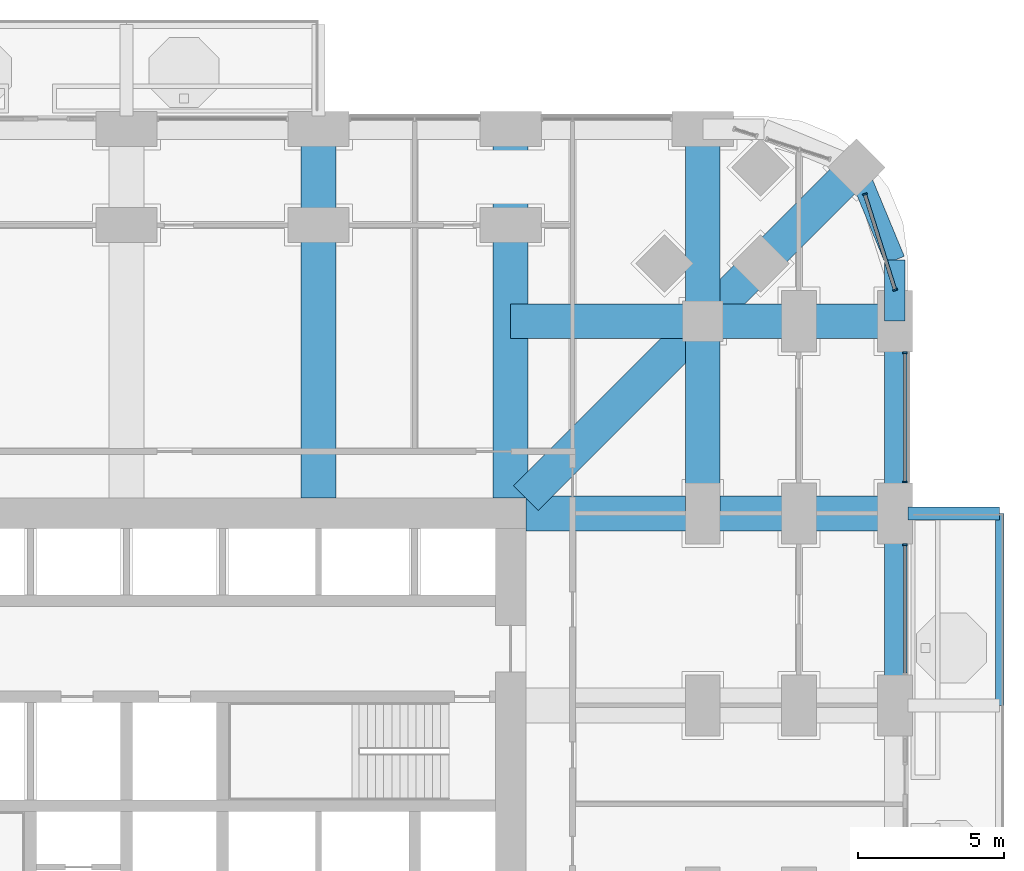
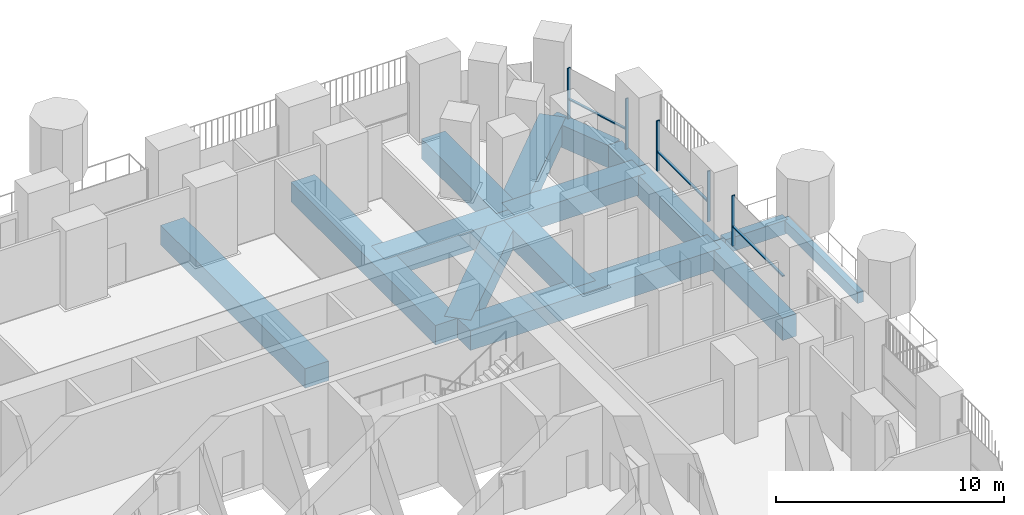
# One storey, part 8 of 26: 15 beams, 8 members, 3 elements without a shape of their own.
"""IFC4 building model written with IfcOpenShell, lengths in metres."""

from ifc_helpers import new_model, si_unit, direction, frame, origin, origin_2d, place, context, subcontext, project, spatial, rectangle, extrude, material, material_profile, profile_set, type_object, element, aggregate, save


model = new_model("IFC4")

# Units and contexts
model_context = context("Model", 3, precision=1e-05, world=origin(), true_north=direction((0.0, 1.0)))
body_context = subcontext(model_context, "Body", "Model", "MODEL_VIEW")
ifc_project = project(units=[si_unit("LENGTHUNIT", "METRE"), si_unit("AREAUNIT", "SQUARE_METRE"), si_unit("VOLUMEUNIT", "CUBIC_METRE"), si_unit("PLANEANGLEUNIT", "RADIAN"), si_unit("MASSUNIT", "GRAM", prefix="KILO")], contexts=[model_context])

# Site, building, storey
site_placement = place(None, origin())
site = spatial("IfcSite", under=ifc_project, at=site_placement, CompositionType="ELEMENT")
building_placement = place(site_placement, origin())
building = spatial("IfcBuilding", under=site, at=building_placement, Name="Cobogo Forest Laboratory Tower", CompositionType="ELEMENT")
storey_placement = place(building_placement, frame((0.0, 0.0, 42.300048828125)))
storey = spatial("IfcBuildingStorey", under=building, at=storey_placement, Name="L09", CompositionType="ELEMENT", Elevation=42.300048828125)

# Beams
ifc_material_1 = material(Name="Concrete HA-40 (C40/50)", Category="concrete")
ifc_material_profile_1 = material_profile(ifc_material_1, rectangle(XDim=0.449951171875, YDim=0.75, at=origin_2d()), Name="RC 450x750")
ifc_profile_set_1 = profile_set([ifc_material_profile_1], Name="Concrete HA-40 (C40/50)")
beam_type_1 = type_object("IfcBeamType", Name="Balcony cantilever beam 450x750", PredefinedType="BEAM", material=ifc_profile_set_1)
beam_1_placement = place(storey_placement, frame((53.25, 33.0, -0.625), z_axis=(1.0, 0.0, 0.0), x_axis=(0.0, 1.0, 0.0)))
element("IfcBeam", 1, at=beam_1_placement, inside=storey, type_object=beam_type_1, Name="CB1 BAL-E1-C3 L09", PredefinedType="BEAM", context=body_context, shape_type="SweptSolid", body=[
    extrude(rectangle(XDim=0.449951171875, YDim=0.75, at=origin_2d()), origin(), (0.0, 0.0, 1.0), 3.14990234375),
])
ifc_material_profile_2 = material_profile(ifc_material_1, rectangle(XDim=0.300048828125, YDim=0.60009765625, at=origin_2d()), Name="RC 300x600")
ifc_profile_set_2 = profile_set([ifc_material_profile_2], Name="Concrete HA-40 (C40/50)")
beam_type_2 = type_object("IfcBeamType", Name="Balcony edge beam 300x600", PredefinedType="BEAM", material=ifc_profile_set_2)
beam_2_placement = place(storey_placement, frame((56.39990234375, 26.39990234375, -0.550048828125), z_axis=(0.0, 1.0, 0.0), x_axis=(-1.0, 0.0, 0.0)))
element("IfcBeam", 2, at=beam_2_placement, inside=storey, type_object=beam_type_2, Name="BB1 BAL-E1-T2 L09", PredefinedType="BEAM", context=body_context, shape_type="SweptSolid", body=[
    extrude(rectangle(XDim=0.300048828125, YDim=0.60009765625, at=origin_2d()), origin(), (0.0, 0.0, 1.0), 6.60009765625),
])
ifc_material_profile_3 = material_profile(ifc_material_1, rectangle(XDim=1.199951171875, YDim=1.050048828125, at=origin_2d()), Name="RC 1200x1050")
ifc_profile_set_3 = profile_set([ifc_material_profile_3], Name="Concrete HA-40 (C40/50)")
beam_type_3 = type_object("IfcBeamType", Name="Laboratory floor wide beam 1200x1050", PredefinedType="BEAM", material=ifc_profile_set_3)
for number, where, z_axis, x_axis, name in (
    (3, (33.0, 33.52490234375, -0.824951171875), (0.0, 1.0, 0.0), (-1.0, 0.0, 0.0), "RB1 R-6-N L09"),
    (4, (39.60009765625, 33.52490234375, -0.824951171875), (0.0, 1.0, 0.0), (-1.0, 0.0, 0.0), "RB1 R-7-N L09"),
    (5, (40.125, 33.0, -0.824951171875), (1.0, 0.0, 0.0), (0.0, 1.0, 0.0), "RB1 R-F-E L09"),
):
    element("IfcBeam", number, at=place(storey_placement, frame(where, z_axis=z_axis, x_axis=x_axis)), inside=storey, type_object=beam_type_3, Name=name, PredefinedType="BEAM", context=body_context, shape_type="SweptSolid", body=[
        extrude(rectangle(XDim=1.199951171875, YDim=1.050048828125, at=origin_2d()), origin(), (0.0, 0.0, 1.0), 12.675048828125),
    ])
beam_3_placement = place(storey_placement, frame((46.199951171875, 46.199951171875, -0.824951171875), z_axis=(0.0, -1.0, 0.0), x_axis=(1.0, 0.0, 0.0)))
element("IfcBeam", 6, at=beam_3_placement, inside=storey, type_object=beam_type_3, Name="RB1 G-NE-XF L09", PredefinedType="BEAM", context=body_context, shape_type="SweptSolid", body=[
    extrude(rectangle(XDim=1.199951171875, YDim=1.050048828125, at=origin_2d()), origin(), (0.0, 0.0, 1.0), 6.599853515625),
])
for number, where, z_axis, x_axis, name in (
    (7, (46.199951171875, 39.60009765625, -0.824951171875), (0.0, -1.0, 0.0), (1.0, 0.0, 0.0), "RB1 G-NE-XC L09"),
    (8, (52.800048828125, 39.60009765625, -0.824951171875), (-1.0, 0.0, 0.0), (0.0, -1.0, 0.0), "RB1 G-NE-YF L09"),
):
    element("IfcBeam", number, at=place(storey_placement, frame(where, z_axis=z_axis, x_axis=x_axis)), inside=storey, type_object=beam_type_3, Name=name, PredefinedType="BEAM", context=body_context, shape_type="SweptSolid", body=[
        extrude(rectangle(XDim=1.199951171875, YDim=1.050048828125, at=origin_2d()), origin(), (0.0, 0.0, 1.0), 6.60009765625),
    ])
beam_4_placement = place(storey_placement, frame((46.199951171875, 39.60009765625, -0.824951171875), z_axis=(-1.0, 0.0, 0.0), x_axis=(0.0, -1.0, 0.0)))
element("IfcBeam", 9, at=beam_4_placement, inside=storey, type_object=beam_type_3, Name="RB1 G-NE-YC L09", PredefinedType="BEAM", context=body_context, shape_type="SweptSolid", body=[
    extrude(rectangle(XDim=1.199951171875, YDim=1.050048828125, at=origin_2d()), origin(), (0.0, 0.0, 1.0), 6.599853515625),
])
beam_5_placement = place(storey_placement, frame((51.48193359375, 44.882080078125, -0.824951171875), z_axis=(-0.707106781187, -0.707106781187, 0.0), x_axis=(0.707106781187, -0.707106781187, 0.0)))
element("IfcBeam", 10, at=beam_5_placement, inside=storey, type_object=beam_type_3, Name="RB1 G-NE-D1 L09", PredefinedType="BEAM", context=body_context, shape_type="SweptSolid", body=[
    extrude(rectangle(XDim=1.199951171875, YDim=1.050048828125, at=origin_2d()), origin(), (0.0, 0.0, 1.0), 7.469970703125),
])
beam_6_placement = place(storey_placement, frame((46.199951171875, 39.60009765625, -0.824951171875), z_axis=(-0.707092572697, -0.70712098939, 0.0), x_axis=(0.70712098939, -0.707092572697, 0.0)))
element("IfcBeam", 11, at=beam_6_placement, inside=storey, type_object=beam_type_3, Name="RB1 G-NE-D2 L09", PredefinedType="BEAM", context=body_context, shape_type="SweptSolid", body=[
    extrude(rectangle(XDim=1.199951171875, YDim=1.050048828125, at=origin_2d()), origin(), (0.0, 0.0, 1.0), 8.591552734375),
])

# Curtain wall, member
ifc_material_2 = material(Name="Aluminium curtain wall", Category="aluminium")
curtain_wall_type = type_object("IfcCurtainWallType", Name="CW-1 unitised curtain wall, clear glazing, laboratory floors zones A and B", PredefinedType="USERDEFINED", material=ifc_material_2)
curtain_wall_1_placement = place(storey_placement, origin())
curtain_wall_1 = element("IfcCurtainWall", 12, at=curtain_wall_1_placement, inside=storey, type_object=curtain_wall_type, Name="Curtain wall 13 L09", ObjectType="UNITISED CURTAIN WALL", PredefinedType="USERDEFINED")
ifc_material_3 = material(Name="Aluminium mullion", Category="aluminium")
ifc_material_profile_4 = material_profile(ifc_material_3, rectangle(XDim=0.06005859375, YDim=0.159912109375, at=origin_2d()), Name="AL 60x160")
ifc_profile_set_4 = profile_set([ifc_material_profile_4], Name="Aluminium mullion")
member_type_1 = type_object("IfcMemberType", Name="MU-1 aluminium mullion 60x160", PredefinedType="MULLION", material=ifc_profile_set_4)
member_1_placement = place(storey_placement, frame((53.14990234375, 31.919921875, 0.0), z_axis=(0.0, 0.0, 1.0), x_axis=(0.0, 1.0, 0.0)))
member_1 = element("IfcMember", 13, at=member_1_placement, type_object=member_type_1, Name="CW-1 mullion 2", PredefinedType="MULLION", context=body_context, shape_type="SweptSolid", body=[
    extrude(rectangle(XDim=0.06005859375, YDim=0.159912109375, at=origin_2d()), origin(), (0.0, 0.0, 1.0), 2.699951171875),
])

# Curtain wall, members
curtain_wall_2_placement = place(storey_placement, origin())
curtain_wall_2 = element("IfcCurtainWall", 14, at=curtain_wall_2_placement, inside=storey, type_object=curtain_wall_type, Name="Curtain wall 14 L09", ObjectType="UNITISED CURTAIN WALL", PredefinedType="USERDEFINED")
member_2_placement = place(storey_placement, frame((53.14990234375, 34.080078125, 0.0), z_axis=(0.0, 0.0, 1.0), x_axis=(0.0, 1.0, 0.0)))
member_2 = element("IfcMember", 15, at=member_2_placement, type_object=member_type_1, Name="CW-1 mullion 1", PredefinedType="MULLION", context=body_context, shape_type="SweptSolid", body=[
    extrude(rectangle(XDim=0.06005859375, YDim=0.159912109375, at=origin_2d()), origin(), (0.0, 0.0, 1.0), 2.699951171875),
])
member_3_placement = place(storey_placement, frame((53.14990234375, 38.52001953125, 0.0), z_axis=(0.0, 0.0, 1.0), x_axis=(0.0, 1.0, 0.0)))
member_3 = element("IfcMember", 16, at=member_3_placement, type_object=member_type_1, Name="CW-1 mullion 2", PredefinedType="MULLION", context=body_context, shape_type="SweptSolid", body=[
    extrude(rectangle(XDim=0.06005859375, YDim=0.159912109375, at=origin_2d()), origin(), (0.0, 0.0, 1.0), 2.699951171875),
])

curtain_wall_3_placement = place(storey_placement, origin())
curtain_wall_3 = element("IfcCurtainWall", 17, at=curtain_wall_3_placement, inside=storey, type_object=curtain_wall_type, Name="Curtain wall 15 L09", ObjectType="UNITISED CURTAIN WALL", PredefinedType="USERDEFINED")
member_4_placement = place(storey_placement, frame((52.809326171875, 40.6787109375, 0.0), z_axis=(0.0, 0.0, 1.0), x_axis=(-0.30113535792, 0.95358140513, 0.0)))
member_4 = element("IfcMember", 18, at=member_4_placement, type_object=member_type_1, Name="CW-1 mullion 1", PredefinedType="MULLION", context=body_context, shape_type="SweptSolid", body=[
    extrude(rectangle(XDim=0.06005859375, YDim=0.159912109375, at=origin_2d()), origin(), (0.0, 0.0, 1.0), 2.699951171875),
])
member_5_placement = place(storey_placement, frame((51.772705078125, 43.961181640625, 0.0), z_axis=(0.0, 0.0, 1.0), x_axis=(-0.30113535792, 0.95358140513, 0.0)))
member_5 = element("IfcMember", 19, at=member_5_placement, type_object=member_type_1, Name="CW-1 mullion 2", PredefinedType="MULLION", context=body_context, shape_type="SweptSolid", body=[
    extrude(rectangle(XDim=0.06005859375, YDim=0.159912109375, at=origin_2d()), origin(), (0.0, 0.0, 1.0), 2.699951171875),
])

# Beams
ifc_material_profile_5 = material_profile(ifc_material_1, rectangle(XDim=0.699951171875, YDim=1.199951171875, at=origin_2d()), Name="RC 700x1200")
ifc_profile_set_5 = profile_set([ifc_material_profile_5], Name="Concrete HA-40 (C40/50)")
beam_type_4 = type_object("IfcBeamType", Name="Perimeter edge beam 700x1200", PredefinedType="BEAM", material=ifc_profile_set_5)
for number, where, z_axis, x_axis, name in (
    (20, (52.800048828125, 26.39990234375, -0.900146484375), (0.0, 1.0, 0.0), (-1.0, 0.0, 0.0), "EB1 E-E4 L09"),
    (21, (52.800048828125, 33.0, -0.900146484375), (0.0, 1.0, 0.0), (-1.0, 0.0, 0.0), "EB1 E-E5 L09"),
):
    element("IfcBeam", number, at=place(storey_placement, frame(where, z_axis=z_axis, x_axis=x_axis)), inside=storey, type_object=beam_type_4, Name=name, PredefinedType="BEAM", context=body_context, shape_type="SweptSolid", body=[
        extrude(rectangle(XDim=0.699951171875, YDim=1.199951171875, at=origin_2d()), origin(), (0.0, 0.0, 1.0), 6.60009765625),
    ])
beam_7_placement = place(storey_placement, frame((52.800048828125, 39.60009765625, -0.900146484375), z_axis=(0.0, 1.0, 0.0), x_axis=(-1.0, 0.0, 0.0)))
element("IfcBeam", 22, at=beam_7_placement, inside=storey, type_object=beam_type_4, Name="EB1 E-NEE1 L09", PredefinedType="BEAM", context=body_context, shape_type="SweptSolid", body=[
    extrude(rectangle(XDim=0.699951171875, YDim=1.199951171875, at=origin_2d()), origin(), (0.0, 0.0, 1.0), 2.099853515625),
])
beam_8_placement = place(storey_placement, frame((52.800048828125, 41.699951171875, -0.900146484375), z_axis=(-0.382691928466, 0.923876013265, 0.0), x_axis=(-0.923876013265, -0.382691928466, 0.0)))
element("IfcBeam", 23, at=beam_8_placement, inside=storey, type_object=beam_type_4, Name="EB1 E-NEE2 L09", PredefinedType="BEAM", context=body_context, shape_type="SweptSolid", body=[
    extrude(rectangle(XDim=0.699951171875, YDim=1.199951171875, at=origin_2d()), origin(), (0.0, 0.0, 1.0), 3.4443359375),
])

# Member
ifc_material_4 = material(Name="Aluminium transom", Category="aluminium")
ifc_material_profile_6 = material_profile(ifc_material_4, rectangle(XDim=0.1201171875, YDim=0.06005859375, at=origin_2d()), Name="AL 60x120")
ifc_profile_set_6 = profile_set([ifc_material_profile_6], Name="Aluminium transom")
member_type_2 = type_object("IfcMemberType", Name="TR-1 aluminium transom 60x120", PredefinedType="USERDEFINED", material=ifc_profile_set_6)
member_6_placement = place(storey_placement, frame((53.14990234375, 27.510009765625, 1.050048828125), z_axis=(0.0, 1.0, 0.0), x_axis=(-1.0, 0.0, 0.0)))
member_6 = element("IfcMember", 24, at=member_6_placement, type_object=member_type_2, Name="CW-1 transom 1.1", ObjectType="TRANSOM", PredefinedType="USERDEFINED", context=body_context, shape_type="SweptSolid", body=[
    extrude(rectangle(XDim=0.1201171875, YDim=0.06005859375, at=origin_2d()), origin(), (0.0, 0.0, 1.0), 4.3798828125),
])

aggregate(curtain_wall_1, [member_1, member_6])

member_7_placement = place(storey_placement, frame((53.14990234375, 34.110107421875, 1.050048828125), z_axis=(0.0, 1.0, 0.0), x_axis=(-1.0, 0.0, 0.0)))
member_7 = element("IfcMember", 25, at=member_7_placement, type_object=member_type_2, Name="CW-1 transom 1.1", ObjectType="TRANSOM", PredefinedType="USERDEFINED", context=body_context, shape_type="SweptSolid", body=[
    extrude(rectangle(XDim=0.1201171875, YDim=0.06005859375, at=origin_2d()), origin(), (0.0, 0.0, 1.0), 4.3798828125),
])

aggregate(curtain_wall_2, [member_2, member_3, member_7])

member_8_placement = place(storey_placement, frame((52.80029296875, 40.707275390625, 1.050048828125), z_axis=(-0.301138276922, 0.953580483322, 0.0), x_axis=(-0.953580483322, -0.301138276922, 0.0)))
member_8 = element("IfcMember", 26, at=member_8_placement, type_object=member_type_2, Name="CW-1 transom 1.1", ObjectType="TRANSOM", PredefinedType="USERDEFINED", context=body_context, shape_type="SweptSolid", body=[
    extrude(rectangle(XDim=0.1201171875, YDim=0.06005859375, at=origin_2d()), origin(), (0.0, 0.0, 1.0), 3.38232421875),
])

aggregate(curtain_wall_3, [member_4, member_5, member_8])

save(model, "model.ifc")
